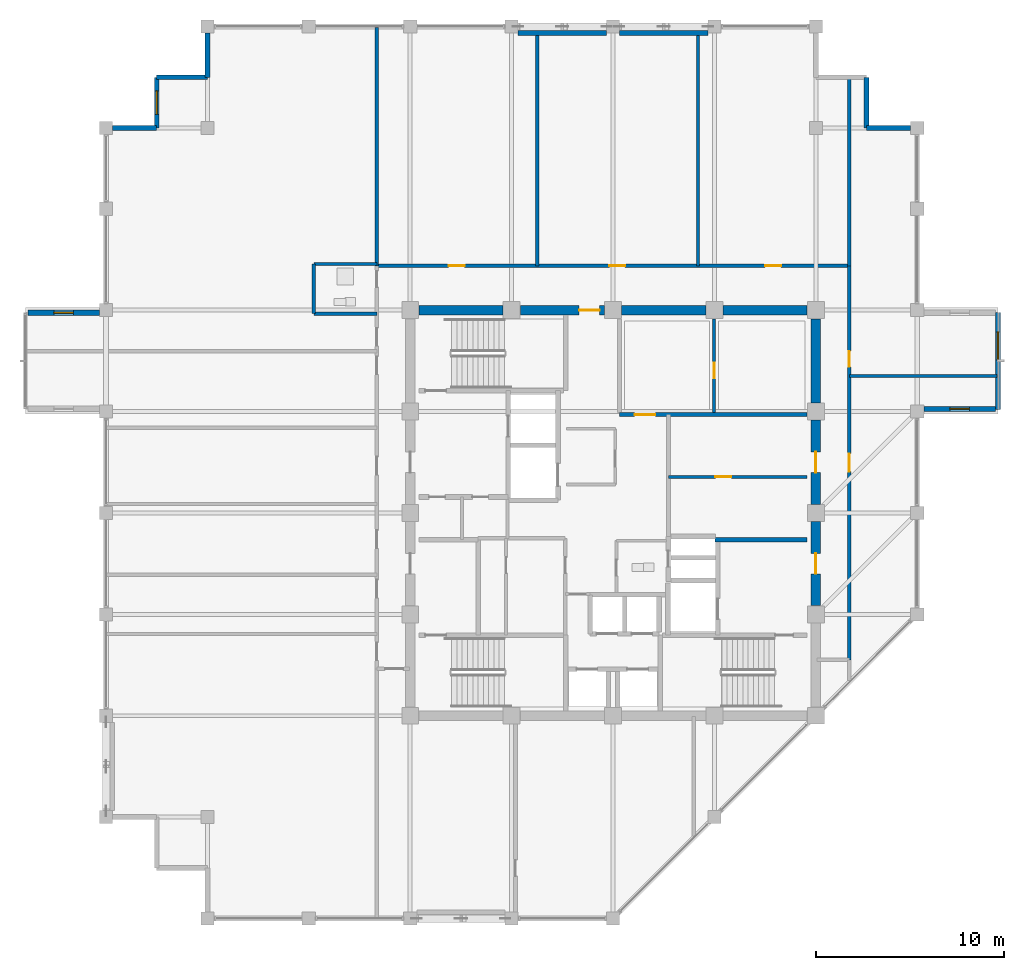
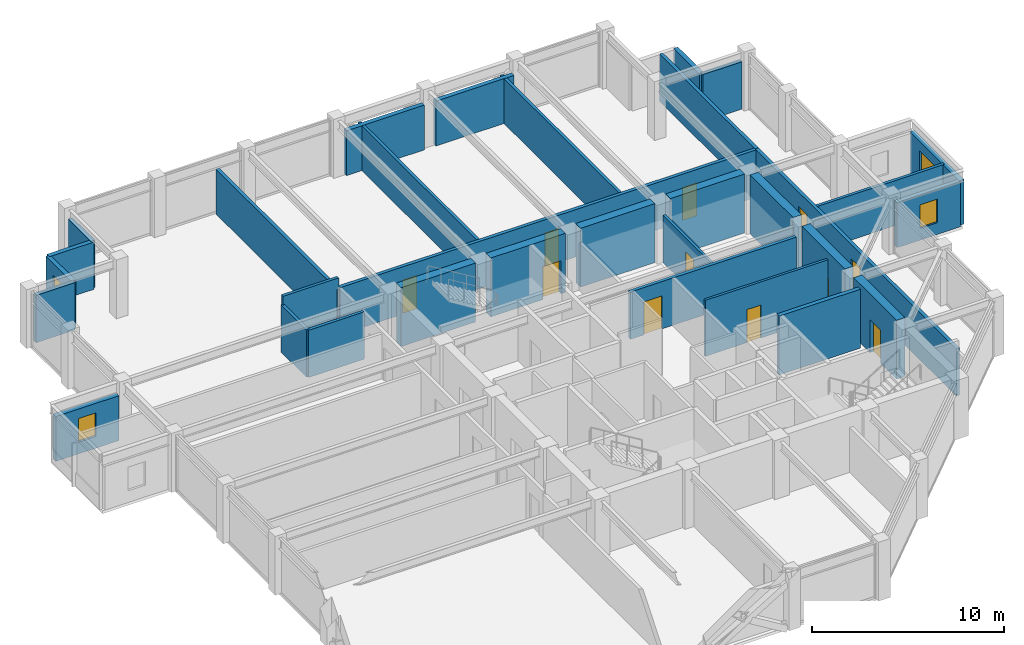
# One storey, part 27 of 31: 32 walls, 11 doors, 4 windows, 15 openings.
"""IFC4 building model written with IfcOpenShell, lengths in metres."""

import ifcopenshell
import ifcopenshell.guid

model = None  # the IFC model being written
_history = None  # IfcOwnerHistory: only IFC2X3 demands one
_inside = {}  # id of a spatial element -> (the spatial element, [elements in it])
_under = {}  # id of a project, library or spatial element -> (it, [spatial elements below it])
_declared = {}  # id of a project -> (the project, [libraries it declares])
_typed = {}  # id of a type object -> (the type object, [elements of that type])
_made_of = {}  # id of a material, layer set ... -> (it, [elements and type objects made of it])


def new_model(schema):
    """Start an empty IFC model of exactly this schema.

    Asked for "IFC4X3", IfcOpenShell would pick the latest addendum, in which some entities
    have other attributes; the version numbers below select the first issue.
    IFC2X3 requires an IfcOwnerHistory on every rooted entity: one is made here for all.
    """
    global model, _history
    if schema == "IFC4X3":
        model = ifcopenshell.file(schema_version=(4, 3, 0, 0))
    else:
        model = ifcopenshell.file(schema=schema)
    _inside.clear()
    _under.clear()
    _declared.clear()
    _typed.clear()
    _made_of.clear()
    _history = None
    if model.schema == "IFC2X3":
        org = make("IfcOrganization", Name="unknown")
        user = make(
            "IfcPersonAndOrganization",
            ThePerson=make("IfcPerson", FamilyName="unknown"),
            TheOrganization=org,
        )
        app = make(
            "IfcApplication",
            ApplicationDeveloper=org,
            Version="unknown",
            ApplicationFullName="unknown",
            ApplicationIdentifier="unknown",
        )
        _history = make(
            "IfcOwnerHistory",
            OwningUser=user,
            OwningApplication=app,
            ChangeAction="ADDED",
            CreationDate=0,
        )
    return model


def make(cls, **values):
    """One entity of the class cls with the attributes given. An attribute that is None is left unset."""
    return model.create_entity(
        cls, **{name: value for name, value in values.items() if value is not None}
    )


def rooted(cls, **values):
    """An entity with a GlobalId (a new one), such as an element, a storey or a relation."""
    return make(cls, GlobalId=ifcopenshell.guid.new(), OwnerHistory=_history, **values)


def si_unit(unit_type, name, prefix=None):
    """IfcSIUnit, for example si_unit("LENGTHUNIT", "METRE", prefix="MILLI")."""
    return make("IfcSIUnit", UnitType=unit_type, Prefix=prefix, Name=name)


def assignment(units):
    """IfcUnitAssignment: the units of a project."""
    return None if units is None else make("IfcUnitAssignment", Units=units)


def point(xyz):
    """IfcCartesianPoint."""
    return None if xyz is None else make("IfcCartesianPoint", Coordinates=xyz)


def direction(xyz):
    """IfcDirection."""
    return None if xyz is None else make("IfcDirection", DirectionRatios=xyz)


def frame(location, z_axis=None, x_axis=None):
    """IfcAxis2Placement3D, a coordinate frame: its origin and axes. An axis left out is left unset."""
    return make(
        "IfcAxis2Placement3D",
        Location=point(location),
        Axis=direction(z_axis),
        RefDirection=direction(x_axis),
    )


def frame_2d(location, x_axis=None):
    """IfcAxis2Placement2D, a coordinate frame in the plane: its origin and x axis."""
    return make(
        "IfcAxis2Placement2D", Location=point(location), RefDirection=direction(x_axis)
    )


def origin():
    """The frame at (0, 0, 0) with its axes left unset."""
    return frame((0.0, 0.0, 0.0))


def place(relative_to, where):
    """IfcLocalPlacement: puts the frame where relative to a parent placement (None: the world)."""
    return make(
        "IfcLocalPlacement", PlacementRelTo=relative_to, RelativePlacement=where
    )


def context(
    kind, dimensions, precision=None, world=None, true_north=None, identifier=None
):
    """IfcGeometricRepresentationContext, for example the 3D "Model" context."""
    return make(
        "IfcGeometricRepresentationContext",
        ContextIdentifier=identifier,
        ContextType=kind,
        CoordinateSpaceDimension=dimensions,
        Precision=precision,
        WorldCoordinateSystem=world,
        TrueNorth=true_north,
    )


def subcontext(parent, identifier, kind, view, scale=None):
    """IfcGeometricRepresentationSubContext, for example "Body" below "Model"."""
    return make(
        "IfcGeometricRepresentationSubContext",
        ContextIdentifier=identifier,
        ContextType=kind,
        ParentContext=parent,
        TargetScale=scale,
        TargetView=view,
    )


def project(units=None, contexts=None):
    """IfcProject with its units and contexts."""
    return rooted(
        "IfcProject",
        Name="project",
        RepresentationContexts=contexts,
        UnitsInContext=assignment(units),
    )


def spatial(cls, under=None, at=None, **own):
    """A site, building, storey or space (cls), placed at a placement, below another one or the project."""
    s = rooted(cls, ObjectPlacement=at, **own)
    if under is not None:
        _under.setdefault(under.id(), (under, []))[1].append(s)
    return s


def profile(cls, at=None, kind="AREA", **sizes):
    """A parametric profile (cls). Its sizes go by their IFC names, for example OverallWidth=200.0."""
    return make(cls, ProfileType=kind, Position=at, **sizes)


def rectangle(**sizes):
    """IfcRectangleProfileDef."""
    return profile("IfcRectangleProfileDef", **sizes)


def extrude(swept, where, along, depth):
    """IfcExtrudedAreaSolid: the profile swept, set in the frame where, extruded along a direction by depth."""
    return make(
        "IfcExtrudedAreaSolid",
        SweptArea=swept,
        Position=where,
        ExtrudedDirection=direction(along),
        Depth=depth,
    )


def shape(context_of_items, identifier, shape_type, items):
    """IfcShapeRepresentation: the items that make up one representation, for example the "Body"."""
    return make(
        "IfcShapeRepresentation",
        ContextOfItems=context_of_items,
        RepresentationIdentifier=identifier,
        RepresentationType=shape_type,
        Items=items,
    )


def material(Name=None, Category=None):
    """IfcMaterial."""
    return make("IfcMaterial", Name=Name, Category=Category)


def layer(
    of_material, thickness, ventilated=None, Name=None, Category=None, Priority=None
):
    """IfcMaterialLayer: one layer of a wall or slab, of a material (None: an air gap)."""
    return make(
        "IfcMaterialLayer",
        Material=of_material,
        LayerThickness=thickness,
        IsVentilated=ventilated,
        Name=Name,
        Category=Category,
        Priority=Priority,
    )


def layer_set(layers, Name=None):
    """IfcMaterialLayerSet."""
    return make("IfcMaterialLayerSet", MaterialLayers=layers, LayerSetName=Name)


def made_of(thing, what):
    """Note that an element or type object is made of a material, layer set ...; save() writes the relation."""
    if what is not None:
        _made_of.setdefault(what.id(), (what, []))[1].append(thing)
    return thing


def type_object(cls, material=None, **own):
    """A type object (cls), such as IfcWallType, which elements share."""
    return made_of(rooted(cls, **own), material)


def element(
    cls,
    number,
    at=None,
    inside=None,
    cuts=None,
    type_object=None,
    material=None,
    context=None,
    identifier="Body",
    shape_type=None,
    held_by="IfcProductDefinitionShape",
    body=None,
    shapes=None,
    **own,
):
    """One element of the class cls, such as IfcWall. Its Tag is "e" and its number.

    at: its placement. inside: the storey or other place that contains it. cuts: it is an
    opening in that element (IfcRelVoidsElement). A single representation is given by context,
    identifier, shape_type and body (its items); several are given by shapes. held_by: the class
    of the entity that holds the representations. save() writes the other relations.
    """
    e = rooted(cls, Tag="e%d" % number, ObjectPlacement=at, **own)
    if body is not None:
        shapes = [shape(context, identifier, shape_type, body)]
    if shapes is not None:
        e.Representation = make(held_by, Representations=shapes)
    if inside is not None:
        _inside.setdefault(inside.id(), (inside, []))[1].append(e)
    if cuts is not None:
        rooted(
            "IfcRelVoidsElement", RelatingBuildingElement=cuts, RelatedOpeningElement=e
        )
    if type_object is not None:
        _typed.setdefault(type_object.id(), (type_object, []))[1].append(e)
    return made_of(e, material)


def fill(opening, filler):
    """IfcRelFillsElement: the door or window that sits in an opening."""
    return rooted(
        "IfcRelFillsElement",
        RelatingOpeningElement=opening,
        RelatedBuildingElement=filler,
    )


def aggregate(whole, parts):
    """IfcRelAggregates: a whole, such as a stair, and the parts it consists of."""
    return rooted("IfcRelAggregates", RelatingObject=whole, RelatedObjects=parts)


def save(model, path):
    """Write the relations noted so far, then the file.

    IfcRelAggregates (storeys below a building ...), IfcRelContainedInSpatialStructure (elements
    in a storey), IfcRelDefinesByType, IfcRelAssociatesMaterial and IfcRelDeclares: one each for
    every whole, place, type object, material and project.
    """
    for whole, parts in _under.values():
        aggregate(whole, parts)
    for where, things in _inside.values():
        rooted(
            "IfcRelContainedInSpatialStructure",
            RelatedElements=things,
            RelatingStructure=where,
        )
    for kind, things in _typed.values():
        rooted("IfcRelDefinesByType", RelatedObjects=things, RelatingType=kind)
    for what, things in _made_of.values():
        rooted("IfcRelAssociatesMaterial", RelatedObjects=things, RelatingMaterial=what)
    for by, libraries in _declared.values():
        rooted("IfcRelDeclares", RelatingContext=by, RelatedDefinitions=libraries)
    model.write(path)


model = new_model("IFC4")

# Units and contexts
model_context = context("Model", 3, precision=1e-05, world=origin(), true_north=direction((0.0, 1.0)))
body_context = subcontext(model_context, "Body", "Model", "MODEL_VIEW")
ifc_project = project(units=[si_unit("LENGTHUNIT", "METRE"), si_unit("AREAUNIT", "SQUARE_METRE"), si_unit("VOLUMEUNIT", "CUBIC_METRE"), si_unit("PLANEANGLEUNIT", "RADIAN"), si_unit("MASSUNIT", "GRAM", prefix="KILO")], contexts=[model_context])

# Site, building, storey
site_placement = place(None, origin())
site = spatial("IfcSite", under=ifc_project, at=site_placement, CompositionType="ELEMENT")
building_placement = place(site_placement, origin())
building = spatial("IfcBuilding", under=site, at=building_placement, Name="Surkhivell Harbour Commons", CompositionType="ELEMENT")
storey_placement = place(building_placement, frame((0.0, 0.0, 266.25)))
storey = spatial("IfcBuildingStorey", under=building, at=storey_placement, Name="L69", CompositionType="ELEMENT", Elevation=266.25)

# Wall
ifc_material_1 = material(Name="Concrete C50/60", Category="concrete")
ifc_layer_1 = layer(ifc_material_1, 0.5)
ifc_layer_set_1 = layer_set([ifc_layer_1], Name="Concrete C50/60")
wall_type_1 = type_object("IfcWallType", Name="WAL-CORE-500", PredefinedType="SHEAR", material=ifc_layer_set_1)
wall_1_placement = place(storey_placement, frame((-10.340087890625, 10.800048828125, 0.0), z_axis=(0.0, 0.0, 1.0), x_axis=(1.0, 0.0, 0.0)))
element("IfcWall", 1, at=wall_1_placement, inside=storey, type_object=wall_type_1, Name="L69 Core Shear Wall North 1", PredefinedType="SHEAR", context=body_context, shape_type="SweptSolid", body=[
    extrude(rectangle(XDim=4.47998046875, YDim=0.5, at=frame_2d((2.239990234375, 0.0))), origin(), (0.0, 0.0, 1.0), 3.75),
])

# Wall, opening, door
wall_2_placement = place(storey_placement, frame((-4.93994140625, 10.800048828125, 0.0), z_axis=(0.0, 0.0, 1.0), x_axis=(1.0, 0.0, 0.0)))
wall_2 = element("IfcWall", 2, at=wall_2_placement, inside=storey, type_object=wall_type_1, Name="L69 Core Shear Wall North 2", PredefinedType="SHEAR", context=body_context, shape_type="SweptSolid", body=[
    extrude(rectangle(XDim=4.47998046875, YDim=0.5, at=frame_2d((2.239990234375, 0.0))), origin(), (0.0, 0.0, 1.0), 3.75),
])
opening_1_placement = place(wall_2_placement, frame((3.1298828125, 0.0, 0.0)))
opening_1 = element("IfcOpeningElement", 3, at=opening_1_placement, cuts=wall_2, Name="Opening ID-2", PredefinedType="OPENING", context=body_context, shape_type="SweptSolid", body=[
    extrude(rectangle(XDim=1.10009765625, YDim=2.10009765625, at=frame_2d((0.550048828125, 1.050048828125))), frame((0.0, 0.260009765625, 0.0), z_axis=(0.0, -1.0, 0.0), x_axis=(1.0, 0.0, 0.0)), (0.0, 0.0, 1.0), 0.52001953125),
])
ifc_material_2 = material(Name="Hardwood-veneered fire-rated door leaf", Category="wood")
door_type_1 = type_object("IfcDoorType", Name="DOR-FD60-1100", OperationType="NOTDEFINED", PredefinedType="DOOR", material=ifc_material_2)
door_1_placement = place(opening_1_placement, origin())
door_1 = element("IfcDoor", 4, at=door_1_placement, inside=storey, type_object=door_type_1, Name="L69 Central Core Lift Hall North Corridor Door", OperationType="SINGLE_SWING_LEFT", OverallHeight=2.10009765625, OverallWidth=1.10009765625, PredefinedType="DOOR", context=body_context, shape_type="SweptSolid", body=[
    extrude(rectangle(XDim=1.10009765625, YDim=2.10009765625, at=frame_2d((0.550048828125, 1.050048828125))), frame((0.0, 0.02490234375, 0.0), z_axis=(0.0, -1.0, 0.0), x_axis=(1.0, 0.0, 0.0)), (0.0, 0.0, 1.0), 0.050048828125),
])
fill(opening_1, door_1)

wall_3_placement = place(storey_placement, frame((10.800048828125, -4.93994140625, 0.0), z_axis=(0.0, 0.0, 1.0), x_axis=(0.0, 1.0, 0.0)))
wall_3 = element("IfcWall", 5, at=wall_3_placement, inside=storey, type_object=wall_type_1, Name="L69 Core Shear Wall East 2", PredefinedType="SHEAR", context=body_context, shape_type="SweptSolid", body=[
    extrude(rectangle(XDim=4.47998046875, YDim=0.5, at=frame_2d((2.239990234375, 0.0))), origin(), (0.0, 0.0, 1.0), 3.75),
])
opening_2_placement = place(wall_3_placement, frame((1.68994140625, 0.0, 0.0)))
opening_2 = element("IfcOpeningElement", 6, at=opening_2_placement, cuts=wall_3, Name="Opening ID-1", PredefinedType="OPENING", context=body_context, shape_type="SweptSolid", body=[
    extrude(rectangle(XDim=1.10009765625, YDim=2.10009765625, at=frame_2d((0.550048828125, 1.050048828125))), frame((0.0, 0.260009765625, 0.0), z_axis=(0.0, -1.0, 0.0), x_axis=(1.0, 0.0, 0.0)), (0.0, 0.0, 1.0), 0.52001953125),
])
door_type_2 = type_object("IfcDoorType", Name="DOR-FD120-1100", OperationType="NOTDEFINED", PredefinedType="DOOR", material=ifc_material_2)
door_2_placement = place(opening_2_placement, origin())
door_2 = element("IfcDoor", 7, at=door_2_placement, inside=storey, type_object=door_type_2, Name="L69 Firefighting Lobby 2 Corridor Door", OperationType="SINGLE_SWING_RIGHT", OverallHeight=2.10009765625, OverallWidth=1.10009765625, PredefinedType="DOOR", context=body_context, shape_type="SweptSolid", body=[
    extrude(rectangle(XDim=1.10009765625, YDim=2.10009765625, at=frame_2d((0.550048828125, 1.050048828125))), frame((0.0, 0.02490234375, 0.0), z_axis=(0.0, -1.0, 0.0), x_axis=(1.0, 0.0, 0.0)), (0.0, 0.0, 1.0), 0.050048828125),
])
fill(opening_2, door_2)

# Wall
wall_4_placement = place(storey_placement, frame((0.4599609375, 10.800048828125, 0.0), z_axis=(0.0, 0.0, 1.0), x_axis=(1.0, 0.0, 0.0)))
element("IfcWall", 8, at=wall_4_placement, inside=storey, type_object=wall_type_1, Name="L69 Core Shear Wall North 3", PredefinedType="SHEAR", context=body_context, shape_type="SweptSolid", body=[
    extrude(rectangle(XDim=4.47998046875, YDim=0.5, at=frame_2d((2.239990234375, 0.0))), origin(), (0.0, 0.0, 1.0), 3.75),
])

# Wall, opening, door
wall_5_placement = place(storey_placement, frame((10.800048828125, 0.4599609375, 0.0), z_axis=(0.0, 0.0, 1.0), x_axis=(0.0, 1.0, 0.0)))
wall_5 = element("IfcWall", 9, at=wall_5_placement, inside=storey, type_object=wall_type_1, Name="L69 Core Shear Wall East 3", PredefinedType="SHEAR", context=body_context, shape_type="SweptSolid", body=[
    extrude(rectangle(XDim=4.47998046875, YDim=0.5, at=frame_2d((2.239990234375, 0.0))), origin(), (0.0, 0.0, 1.0), 3.75),
])
opening_3_placement = place(wall_5_placement, frame((1.68994140625, 0.0, 0.0)))
opening_3 = element("IfcOpeningElement", 10, at=opening_3_placement, cuts=wall_5, Name="Opening ID-2", PredefinedType="OPENING", context=body_context, shape_type="SweptSolid", body=[
    extrude(rectangle(XDim=1.10009765625, YDim=2.10009765625, at=frame_2d((0.550048828125, 1.050048828125))), frame((0.0, 0.260009765625, 0.0), z_axis=(0.0, -1.0, 0.0), x_axis=(1.0, 0.0, 0.0)), (0.0, 0.0, 1.0), 0.52001953125),
])
door_3_placement = place(opening_3_placement, origin())
door_3 = element("IfcDoor", 11, at=door_3_placement, inside=storey, type_object=door_type_1, Name="L69 Media Lounge East Door", OperationType="SINGLE_SWING_RIGHT", OverallHeight=2.10009765625, OverallWidth=1.10009765625, PredefinedType="DOOR", context=body_context, shape_type="SweptSolid", body=[
    extrude(rectangle(XDim=1.10009765625, YDim=2.10009765625, at=frame_2d((0.550048828125, 1.050048828125))), frame((0.0, 0.02490234375, 0.0), z_axis=(0.0, -1.0, 0.0), x_axis=(1.0, 0.0, 0.0)), (0.0, 0.0, 1.0), 0.050048828125),
])
fill(opening_3, door_3)

# Walls
for number, where, z_axis, x_axis, name in (
    (12, (5.860107421875, 10.800048828125, 0.0), (0.0, 0.0, 1.0), (1.0, 0.0, 0.0), "L69 Core Shear Wall North 4"),
    (13, (10.800048828125, 5.860107421875, 0.0), (0.0, 0.0, 1.0), (0.0, 1.0, 0.0), "L69 Core Shear Wall East 4"),
):
    element("IfcWall", number, at=place(storey_placement, frame(where, z_axis=z_axis, x_axis=x_axis)), inside=storey, type_object=wall_type_1, Name=name, PredefinedType="SHEAR", context=body_context, shape_type="SweptSolid", body=[
        extrude(rectangle(XDim=4.47998046875, YDim=0.5, at=frame_2d((2.239990234375, 0.0))), origin(), (0.0, 0.0, 1.0), 3.75),
    ])

# Wall, opening, window
ifc_material_3 = material(Name="Flemish-bond kiln brick and precast concrete C45/55", Category="masonry")
ifc_layer_2 = layer(ifc_material_3, 0.300048828125)
ifc_layer_set_2 = layer_set([ifc_layer_2], Name="Flemish-bond kiln brick and precast concrete C45/55")
wall_type_2 = type_object("IfcWallType", Name="WAL-EXT-BRK300", PredefinedType="STANDARD", material=ifc_layer_set_2)
wall_6_placement = place(storey_placement, frame((-31.159912109375, 10.659912109375, 0.0), z_axis=(0.0, 0.0, 1.0), x_axis=(1.0, 0.0, 0.0)))
wall_6 = element("IfcWall", 14, at=wall_6_placement, inside=storey, type_object=wall_type_2, Name="L69 Coloured Box Return Wall 02N", PredefinedType="STANDARD", context=body_context, shape_type="SweptSolid", body=[
    extrude(rectangle(XDim=3.805908203125, YDim=0.300048828125, at=frame_2d((1.90283203125, 0.0))), origin(), (0.0, 0.0, 1.0), 2.85693359375),
])
opening_4_placement = place(wall_6_placement, frame((1.3779296875, 0.0, 0.75)))
opening_4 = element("IfcOpeningElement", 15, at=opening_4_placement, cuts=wall_6, Name="Opening WN-11", PredefinedType="OPENING", context=body_context, shape_type="SweptSolid", body=[
    extrude(rectangle(XDim=1.050048828125, YDim=1.5, at=frame_2d((0.52490234375, 0.75))), frame((0.0, 0.159912109375, 0.0), z_axis=(0.0, -1.0, 0.0), x_axis=(1.0, 0.0, 0.0)), (0.0, 0.0, 1.0), 0.320068359375),
])
ifc_material_4 = material(Name="Thermal-break aluminium frame and double low-E glazing", Category="aluminium")
window_type_1 = type_object("IfcWindowType", Name="WIN-SER-1050x1500", PartitioningType="SINGLE_PANEL", PredefinedType="WINDOW", material=ifc_material_4)
window_1_placement = place(opening_4_placement, origin())
window_1 = element("IfcWindow", 16, at=window_1_placement, inside=storey, type_object=window_type_1, Name="L69 Coloured Box Return Window 02N", OverallHeight=1.5, OverallWidth=1.050048828125, PartitioningType="SINGLE_PANEL", PredefinedType="WINDOW", context=body_context, shape_type="SweptSolid", body=[
    extrude(rectangle(XDim=1.050048828125, YDim=1.5, at=frame_2d((0.52490234375, 0.75))), frame((0.0, 0.030029296875, 0.0), z_axis=(0.0, -1.0, 0.0), x_axis=(1.0, 0.0, 0.0)), (0.0, 0.0, 1.0), 0.06005859375),
])
fill(opening_4, window_1)

# Walls
ifc_material_5 = material(Name="Pale-metal insulated precast concrete C45/55", Category="concrete")
ifc_layer_3 = layer(ifc_material_5, 0.260009765625)
ifc_layer_set_3 = layer_set([ifc_layer_3], Name="Pale-metal insulated precast concrete C45/55")
wall_type_3 = type_object("IfcWallType", Name="WAL-EXT-MTL260", PredefinedType="STANDARD", material=ifc_layer_set_3)
wall_7_placement = place(storey_placement, frame((15.85205078125, 20.5, 0.0), z_axis=(0.0, 0.0, 1.0), x_axis=(-1.0, 0.0, 0.0)))
element("IfcWall", 17, at=wall_7_placement, inside=storey, type_object=wall_type_3, Name="L69 Serrated Corner Facade Wall 03", PredefinedType="STANDARD", context=body_context, shape_type="SweptSolid", body=[
    extrude(rectangle(XDim=2.35205078125, YDim=0.260009765625, at=frame_2d((1.176025390625, 0.0))), origin(), (0.0, 0.0, 1.0), 3.012939453125),
])
wall_8_placement = place(storey_placement, frame((13.5, 20.5, 0.0), z_axis=(0.0, 0.0, 1.0), x_axis=(0.0, 1.0, 0.0)))
element("IfcWall", 18, at=wall_8_placement, inside=storey, type_object=wall_type_3, Name="L69 Serrated Corner Facade Wall 04", PredefinedType="STANDARD", context=body_context, shape_type="SweptSolid", body=[
    extrude(rectangle(XDim=2.699951171875, YDim=0.260009765625, at=frame_2d((1.35009765625, 0.0))), origin(), (0.0, 0.0, 1.0), 3.012939453125),
])
for number, where, z_axis, x_axis, name in (
    (19, (-0.347900390625, 25.56494140625, 0.0), (0.0, 0.0, 1.0), (-1.0, 0.0, 0.0), "L69 Braced-Bay Insulated Spandrel Backing N"),
    (20, (5.052001953125, 25.56494140625, 0.0), (0.0, 0.0, 1.0), (-1.0, 0.0, 0.0), "L69 Braced-Bay Insulated Spandrel Backing N2"),
):
    element("IfcWall", number, at=place(storey_placement, frame(where, z_axis=z_axis, x_axis=x_axis)), inside=storey, type_object=wall_type_3, Name=name, PredefinedType="STANDARD", context=body_context, shape_type="SweptSolid", body=[
        extrude(rectangle(XDim=4.7041015625, YDim=0.260009765625, at=frame_2d((2.35205078125, 0.0))), origin(), (0.0, 0.0, 1.0), 2.85693359375),
    ])
wall_9_placement = place(storey_placement, frame((-21.60009765625, 25.552001953125, 0.0), z_axis=(0.0, 0.0, 1.0), x_axis=(0.0, -1.0, 0.0)))
element("IfcWall", 21, at=wall_9_placement, inside=storey, type_object=wall_type_3, Name="L69 Serrated Corner Facade Wall 08", PredefinedType="STANDARD", context=body_context, shape_type="SweptSolid", body=[
    extrude(rectangle(XDim=2.35205078125, YDim=0.260009765625, at=frame_2d((1.176025390625, 0.0))), origin(), (0.0, 0.0, 1.0), 3.012939453125),
])
wall_10_placement = place(storey_placement, frame((-21.60009765625, 23.199951171875, 0.0), z_axis=(0.0, 0.0, 1.0), x_axis=(-1.0, 0.0, 0.0)))
element("IfcWall", 22, at=wall_10_placement, inside=storey, type_object=wall_type_3, Name="L69 Serrated Corner Facade Wall 09", PredefinedType="STANDARD", context=body_context, shape_type="SweptSolid", body=[
    extrude(rectangle(XDim=2.699951171875, YDim=0.260009765625, at=frame_2d((1.35009765625, 0.0))), origin(), (0.0, 0.0, 1.0), 3.012939453125),
])

# Wall, opening, window
wall_11_placement = place(storey_placement, frame((-24.300048828125, 23.199951171875, 0.0), z_axis=(0.0, 0.0, 1.0), x_axis=(0.0, -1.0, 0.0)))
wall_11 = element("IfcWall", 23, at=wall_11_placement, inside=storey, type_object=wall_type_3, Name="L69 Serrated Corner Facade Wall 10", PredefinedType="STANDARD", context=body_context, shape_type="SweptSolid", body=[
    extrude(rectangle(XDim=2.699951171875, YDim=0.260009765625, at=frame_2d((1.35009765625, 0.0))), origin(), (0.0, 0.0, 1.0), 3.012939453125),
])
opening_5_placement = place(wall_11_placement, frame((0.72509765625, 0.0, 0.64990234375)))
opening_5 = element("IfcOpeningElement", 24, at=opening_5_placement, cuts=wall_11, Name="Opening WN-09", PredefinedType="OPENING", context=body_context, shape_type="SweptSolid", body=[
    extrude(rectangle(XDim=1.25, YDim=1.60009765625, at=frame_2d((0.625, 0.800048828125))), frame((0.0, 0.139892578125, 0.0), z_axis=(0.0, -1.0, 0.0), x_axis=(1.0, 0.0, 0.0)), (0.0, 0.0, 1.0), 0.280029296875),
])
window_type_2 = type_object("IfcWindowType", Name="WIN-SER-1250x1600", PartitioningType="SINGLE_PANEL", PredefinedType="WINDOW", material=ifc_material_4)
window_2_placement = place(opening_5_placement, origin())
window_2 = element("IfcWindow", 25, at=window_2_placement, inside=storey, type_object=window_type_2, Name="L69 Serrated Alcove Window 10", OverallHeight=1.60009765625, OverallWidth=1.25, PartitioningType="SINGLE_PANEL", PredefinedType="WINDOW", context=body_context, shape_type="SweptSolid", body=[
    extrude(rectangle(XDim=1.25, YDim=1.60009765625, at=frame_2d((0.625, 0.800048828125))), frame((0.0, 0.030029296875, 0.0), z_axis=(0.0, -1.0, 0.0), x_axis=(1.0, 0.0, 0.0)), (0.0, 0.0, 1.0), 0.06005859375),
])
fill(opening_5, window_2)

# Wall
wall_12_placement = place(storey_placement, frame((-24.300048828125, 20.5, 0.0), z_axis=(0.0, 0.0, 1.0), x_axis=(-1.0, 0.0, 0.0)))
element("IfcWall", 26, at=wall_12_placement, inside=storey, type_object=wall_type_3, Name="L69 Serrated Corner Facade Wall 11", PredefinedType="STANDARD", context=body_context, shape_type="SweptSolid", body=[
    extrude(rectangle(XDim=2.35205078125, YDim=0.260009765625, at=frame_2d((1.176025390625, 0.0))), origin(), (0.0, 0.0, 1.0), 3.012939453125),
])

# Wall, opening, window
ifc_material_6 = material(Name="Terracotta-clad reinforced concrete C45/55", Category="masonry")
ifc_layer_4 = layer(ifc_material_6, 0.280029296875)
ifc_layer_set_4 = layer_set([ifc_layer_4], Name="Terracotta-clad reinforced concrete C45/55")
wall_type_4 = type_object("IfcWallType", Name="WAL-EXT-TER280", PredefinedType="STANDARD", material=ifc_layer_set_4)
wall_13_placement = place(storey_placement, frame((20.5, 5.52001953125, 0.0), z_axis=(0.0, 0.0, 1.0), x_axis=(0.0, 1.0, 0.0)))
wall_13 = element("IfcWall", 27, at=wall_13_placement, inside=storey, type_object=wall_type_4, Name="L69 Coloured Box Front Wall 01", PredefinedType="STANDARD", context=body_context, shape_type="SweptSolid", body=[
    extrude(rectangle(XDim=5.159912109375, YDim=0.280029296875, at=frame_2d((2.580078125, 0.0))), origin(), (0.0, 0.0, 1.0), 2.85693359375),
])
opening_6_placement = place(wall_13_placement, frame((2.625, 0.0, 0.75)))
opening_6 = element("IfcOpeningElement", 28, at=opening_6_placement, cuts=wall_13, Name="Opening WN-13", PredefinedType="OPENING", context=body_context, shape_type="SweptSolid", body=[
    extrude(rectangle(XDim=1.5, YDim=1.5, at=frame_2d((0.75, 0.75))), frame((0.0, 0.14990234375, 0.0), z_axis=(0.0, -1.0, 0.0), x_axis=(1.0, 0.0, 0.0)), (0.0, 0.0, 1.0), 0.300048828125),
])
window_type_3 = type_object("IfcWindowType", Name="WIN-BOX-1500x1500", PartitioningType="SINGLE_PANEL", PredefinedType="WINDOW", material=ifc_material_4)
window_3_placement = place(opening_6_placement, origin())
window_3 = element("IfcWindow", 29, at=window_3_placement, inside=storey, type_object=window_type_3, Name="L69 Coloured Box Square Window 01-1", OverallHeight=1.5, OverallWidth=1.5, PartitioningType="SINGLE_PANEL", PredefinedType="WINDOW", context=body_context, shape_type="SweptSolid", body=[
    extrude(rectangle(XDim=1.5, YDim=1.5, at=frame_2d((0.75, 0.75))), frame((0.0, 0.030029296875, 0.0), z_axis=(0.0, -1.0, 0.0), x_axis=(1.0, 0.0, 0.0)), (0.0, 0.0, 1.0), 0.06005859375),
])
fill(opening_6, window_3)

wall_14_placement = place(storey_placement, frame((16.553955078125, 5.5400390625, 0.0), z_axis=(0.0, 0.0, 1.0), x_axis=(1.0, 0.0, 0.0)))
wall_14 = element("IfcWall", 30, at=wall_14_placement, inside=storey, type_object=wall_type_4, Name="L69 Coloured Box Return Wall 01S", PredefinedType="STANDARD", context=body_context, shape_type="SweptSolid", body=[
    extrude(rectangle(XDim=3.80615234375, YDim=0.280029296875, at=frame_2d((1.903076171875, 0.0))), origin(), (0.0, 0.0, 1.0), 2.85693359375),
])
opening_7_placement = place(wall_14_placement, frame((1.3779296875, 0.0, 0.75)))
opening_7 = element("IfcOpeningElement", 31, at=opening_7_placement, cuts=wall_14, Name="Opening WN-11", PredefinedType="OPENING", context=body_context, shape_type="SweptSolid", body=[
    extrude(rectangle(XDim=1.050048828125, YDim=1.5, at=frame_2d((0.52490234375, 0.75))), frame((0.0, 0.14990234375, 0.0), z_axis=(0.0, -1.0, 0.0), x_axis=(1.0, 0.0, 0.0)), (0.0, 0.0, 1.0), 0.300048828125),
])
window_4_placement = place(opening_7_placement, origin())
window_4 = element("IfcWindow", 32, at=window_4_placement, inside=storey, type_object=window_type_1, Name="L69 Coloured Box Return Window 01S", OverallHeight=1.5, OverallWidth=1.050048828125, PartitioningType="SINGLE_PANEL", PredefinedType="WINDOW", context=body_context, shape_type="SweptSolid", body=[
    extrude(rectangle(XDim=1.050048828125, YDim=1.5, at=frame_2d((0.52490234375, 0.75))), frame((0.0, 0.030029296875, 0.0), z_axis=(0.0, -1.0, 0.0), x_axis=(1.0, 0.0, 0.0)), (0.0, 0.0, 1.0), 0.06005859375),
])
fill(opening_7, window_4)

# Wall, opening, door
ifc_material_7 = material(Name="Twin-stud acoustic fireboard partition", Category="other")
ifc_layer_5 = layer(ifc_material_7, 0.14990234375)
ifc_layer_set_5 = layer_set([ifc_layer_5], Name="Twin-stud acoustic fireboard partition")
wall_type_5 = type_object("IfcWallType", Name="WAL-INT-150", PredefinedType="PARTITIONING", material=ifc_layer_set_5)
wall_15_placement = place(storey_placement, frame((5.3798828125, 5.360107421875, 0.0), z_axis=(0.0, 0.0, 1.0), x_axis=(0.0, 1.0, 0.0)))
wall_15 = element("IfcWall", 33, at=wall_15_placement, inside=storey, type_object=wall_type_5, Name="L69 Core Library Divider", PredefinedType="PARTITIONING", context=body_context, shape_type="SweptSolid", body=[
    extrude(rectangle(XDim=4.97998046875, YDim=0.14990234375, at=frame_2d((2.489990234375, 0.0))), origin(), (0.0, 0.0, 1.0), 3.012939453125),
])
opening_8_placement = place(wall_15_placement, frame((1.800048828125, 0.0, 0.0)))
opening_8 = element("IfcOpeningElement", 34, at=opening_8_placement, cuts=wall_15, Name="Opening ID-6", PredefinedType="OPENING", context=body_context, shape_type="SweptSolid", body=[
    extrude(rectangle(XDim=0.85009765625, YDim=2.10009765625, at=frame_2d((0.425048828125, 1.050048828125))), frame((0.0, 0.0849609375, 0.0), z_axis=(0.0, -1.0, 0.0), x_axis=(1.0, 0.0, 0.0)), (0.0, 0.0, 1.0), 0.169921875),
])
door_type_3 = type_object("IfcDoorType", Name="DOR-FD30-850", OperationType="NOTDEFINED", PredefinedType="DOOR", material=ifc_material_2)
door_4_placement = place(opening_8_placement, origin())
door_4 = element("IfcDoor", 35, at=door_4_placement, inside=storey, type_object=door_type_3, Name="L69 Core Reading Door", OperationType="SINGLE_SWING_RIGHT", OverallHeight=2.10009765625, OverallWidth=0.85009765625, PredefinedType="DOOR", context=body_context, shape_type="SweptSolid", body=[
    extrude(rectangle(XDim=0.85009765625, YDim=2.10009765625, at=frame_2d((0.425048828125, 1.050048828125))), frame((0.0, 0.02490234375, 0.0), z_axis=(0.0, -1.0, 0.0), x_axis=(1.0, 0.0, 0.0)), (0.0, 0.0, 1.0), 0.050048828125),
])
fill(opening_8, door_4)

wall_16_placement = place(storey_placement, frame((2.949951171875, 1.919921875, 0.0), z_axis=(0.0, 0.0, 1.0), x_axis=(1.0, 0.0, 0.0)))
wall_16 = element("IfcWall", 36, at=wall_16_placement, inside=storey, type_object=wall_type_5, Name="L69 Media Divider", PredefinedType="PARTITIONING", context=body_context, shape_type="SweptSolid", body=[
    extrude(rectangle(XDim=7.39013671875, YDim=0.14990234375, at=frame_2d((3.695068359375, 0.0))), origin(), (0.0, 0.0, 1.0), 3.570068359375),
])
opening_9_placement = place(wall_16_placement, frame((2.5, 0.0, 0.0)))
opening_9 = element("IfcOpeningElement", 37, at=opening_9_placement, cuts=wall_16, Name="Opening ID-6", PredefinedType="OPENING", context=body_context, shape_type="SweptSolid", body=[
    extrude(rectangle(XDim=0.85009765625, YDim=2.10009765625, at=frame_2d((0.425048828125, 1.050048828125))), frame((0.0, 0.0849609375, 0.0), z_axis=(0.0, -1.0, 0.0), x_axis=(1.0, 0.0, 0.0)), (0.0, 0.0, 1.0), 0.169921875),
])
door_5_placement = place(opening_9_placement, origin())
door_5 = element("IfcDoor", 38, at=door_5_placement, inside=storey, type_object=door_type_3, Name="L69 Seminar Alcove Door", OperationType="SINGLE_SWING_RIGHT", OverallHeight=2.10009765625, OverallWidth=0.85009765625, PredefinedType="DOOR", context=body_context, shape_type="SweptSolid", body=[
    extrude(rectangle(XDim=0.85009765625, YDim=2.10009765625, at=frame_2d((0.425048828125, 1.050048828125))), frame((0.0, 0.02490234375, 0.0), z_axis=(0.0, -1.0, 0.0), x_axis=(1.0, 0.0, 0.0)), (0.0, 0.0, 1.0), 0.050048828125),
])
fill(opening_9, door_5)

# Walls
ifc_material_8 = material(Name="High-density acoustic blockwork fire partition", Category="masonry")
ifc_layer_6 = layer(ifc_material_8, 0.175048828125)
ifc_layer_set_6 = layer_set([ifc_layer_6], Name="High-density acoustic blockwork fire partition")
wall_type_6 = type_object("IfcWallType", Name="WAL-INT-175", PredefinedType="PARTITIONING", material=ifc_layer_set_6)
wall_17_placement = place(storey_placement, frame((12.580078125, 7.2900390625, 0.0), z_axis=(0.0, 0.0, 1.0), x_axis=(1.0, 0.0, 0.0)))
element("IfcWall", 39, at=wall_17_placement, inside=storey, type_object=wall_type_6, Name="L69 East Partition P1", PredefinedType="PARTITIONING", context=body_context, shape_type="SweptSolid", body=[
    extrude(rectangle(XDim=7.85986328125, YDim=0.175048828125, at=frame_2d((3.929931640625, 0.0))), origin(), (0.0, 0.0, 1.0), 2.85693359375),
])
for number, where, z_axis, x_axis, name in (
    (40, (-4.030029296875, 13.159912109375, 0.0), (0.0, 0.0, 1.0), (0.0, 1.0, 0.0), "L69 North Partition P1"),
    (41, (4.530029296875, 13.159912109375, 0.0), (0.0, 0.0, 1.0), (0.0, 1.0, 0.0), "L69 North Partition P2"),
):
    element("IfcWall", number, at=place(storey_placement, frame(where, z_axis=z_axis, x_axis=x_axis)), inside=storey, type_object=wall_type_6, Name=name, PredefinedType="PARTITIONING", context=body_context, shape_type="SweptSolid", body=[
        extrude(rectangle(XDim=12.68017578125, YDim=0.175048828125, at=frame_2d((6.340087890625, 0.0))), origin(), (0.0, 0.0, 1.0), 2.85693359375),
    ])
wall_18_placement = place(storey_placement, frame((-15.929931640625, 10.610107421875, 0.0), z_axis=(0.0, 0.0, 1.0), x_axis=(0.0, 1.0, 0.0)))
element("IfcWall", 42, at=wall_18_placement, inside=storey, type_object=wall_type_6, Name="L69 West Partition BTHB", PredefinedType="PARTITIONING", context=body_context, shape_type="SweptSolid", body=[
    extrude(rectangle(XDim=2.64990234375, YDim=0.175048828125, at=frame_2d((1.324951171875, 0.0))), origin(), (0.0, 0.0, 1.0), 3.012939453125),
])
wall_19_placement = place(storey_placement, frame((-15.929931640625, 13.260009765625, 0.0), z_axis=(0.0, 0.0, 1.0), x_axis=(1.0, 0.0, 0.0)))
element("IfcWall", 43, at=wall_19_placement, inside=storey, type_object=wall_type_6, Name="L69 West Partition BTHN", PredefinedType="PARTITIONING", context=body_context, shape_type="SweptSolid", body=[
    extrude(rectangle(XDim=3.349853515625, YDim=0.175048828125, at=frame_2d((1.6748046875, 0.0))), origin(), (0.0, 0.0, 1.0), 3.570068359375),
])
wall_20_placement = place(storey_placement, frame((-15.929931640625, 10.610107421875, 0.0), z_axis=(0.0, 0.0, 1.0), x_axis=(1.0, 0.0, 0.0)))
element("IfcWall", 44, at=wall_20_placement, inside=storey, type_object=wall_type_6, Name="L69 West Partition BTHS", PredefinedType="PARTITIONING", context=body_context, shape_type="SweptSolid", body=[
    extrude(rectangle(XDim=3.349853515625, YDim=0.175048828125, at=frame_2d((1.6748046875, 0.0))), origin(), (0.0, 0.0, 1.0), 3.012939453125),
])

# Wall, opening, door
ifc_material_9 = material(Name="Autoclaved aerated concrete blockwork and fire plaster", Category="masonry")
ifc_layer_7 = layer(ifc_material_9, 0.199951171875)
ifc_layer_set_7 = layer_set([ifc_layer_7], Name="Autoclaved aerated concrete blockwork and fire plaster")
wall_type_7 = type_object("IfcWallType", Name="WAL-INT-200", PredefinedType="PARTITIONING", material=ifc_layer_set_7)
wall_21_placement = place(storey_placement, frame((0.35009765625, 5.239990234375, 0.0), z_axis=(0.0, 0.0, 1.0), x_axis=(1.0, 0.0, 0.0)))
wall_21 = element("IfcWall", 45, at=wall_21_placement, inside=storey, type_object=wall_type_7, Name="L69 Reclaimed Core North Bay South Wall", PredefinedType="PARTITIONING", context=body_context, shape_type="SweptSolid", body=[
    extrude(rectangle(XDim=9.989990234375, YDim=0.199951171875, at=frame_2d((4.9951171875, 0.0))), origin(), (0.0, 0.0, 1.0), 3.012939453125),
])
opening_10_placement = place(wall_21_placement, frame((0.800048828125, 0.0, 0.0)))
opening_10 = element("IfcOpeningElement", 46, at=opening_10_placement, cuts=wall_21, Name="Opening ID-2", PredefinedType="OPENING", context=body_context, shape_type="SweptSolid", body=[
    extrude(rectangle(XDim=1.10009765625, YDim=2.10009765625, at=frame_2d((0.550048828125, 1.050048828125))), frame((0.0, 0.10986328125, 0.0), z_axis=(0.0, -1.0, 0.0), x_axis=(1.0, 0.0, 0.0)), (0.0, 0.0, 1.0), 0.219970703125),
])
door_6_placement = place(opening_10_placement, origin())
door_6 = element("IfcDoor", 47, at=door_6_placement, inside=storey, type_object=door_type_1, Name="L69 Core Study Door", OperationType="SINGLE_SWING_LEFT", OverallHeight=2.10009765625, OverallWidth=1.10009765625, PredefinedType="DOOR", context=body_context, shape_type="SweptSolid", body=[
    extrude(rectangle(XDim=1.10009765625, YDim=2.10009765625, at=frame_2d((0.550048828125, 1.050048828125))), frame((0.0, 0.02490234375, 0.0), z_axis=(0.0, -1.0, 0.0), x_axis=(1.0, 0.0, 0.0)), (0.0, 0.0, 1.0), 0.050048828125),
])
fill(opening_10, door_6)

# Walls
wall_22_placement = place(storey_placement, frame((12.580078125, 13.159912109375, 0.0), z_axis=(0.0, 0.0, 1.0), x_axis=(0.0, 1.0, 0.0)))
element("IfcWall", 48, at=wall_22_placement, inside=storey, type_object=wall_type_7, Name="L69 North-East Corner Wall", PredefinedType="PARTITIONING", context=body_context, shape_type="SweptSolid", body=[
    extrude(rectangle(XDim=9.97998046875, YDim=0.199951171875, at=frame_2d((4.989990234375, 0.0))), origin(), (0.0, 0.0, 1.0), 3.012939453125),
])
wall_23_placement = place(storey_placement, frame((-12.580078125, 13.159912109375, 0.0), z_axis=(0.0, 0.0, 1.0), x_axis=(0.0, 1.0, 0.0)))
element("IfcWall", 49, at=wall_23_placement, inside=storey, type_object=wall_type_7, Name="L69 North-West Corner Wall", PredefinedType="PARTITIONING", context=body_context, shape_type="SweptSolid", body=[
    extrude(rectangle(XDim=12.68017578125, YDim=0.199951171875, at=frame_2d((6.340087890625, 0.0))), origin(), (0.0, 0.0, 1.0), 2.85693359375),
])

# Wall, openings, doors
wall_24_placement = place(storey_placement, frame((12.580078125, -7.820068359375, 0.0), z_axis=(0.0, 0.0, 1.0), x_axis=(0.0, 1.0, 0.0)))
wall_24 = element("IfcWall", 50, at=wall_24_placement, inside=storey, type_object=wall_type_7, Name="L69 East Corridor Wall", PredefinedType="PARTITIONING", context=body_context, shape_type="SweptSolid", body=[
    extrude(rectangle(XDim=20.97998046875, YDim=0.199951171875, at=frame_2d((10.489990234375, 0.0))), origin(), (0.0, 0.0, 1.0), 3.012939453125),
])
opening_11_placement = place(wall_24_placement, frame((10.023193359375, 0.0, 0.0)))
opening_11 = element("IfcOpeningElement", 51, at=opening_11_placement, cuts=wall_24, Name="Opening ID-4", PredefinedType="OPENING", context=body_context, shape_type="SweptSolid", body=[
    extrude(rectangle(XDim=0.949951171875, YDim=2.10009765625, at=frame_2d((0.47509765625, 1.050048828125))), frame((0.0, 0.10986328125, 0.0), z_axis=(0.0, -1.0, 0.0), x_axis=(1.0, 0.0, 0.0)), (0.0, 0.0, 1.0), 0.219970703125),
])
opening_12_placement = place(wall_24_placement, frame((15.5927734375, 0.0, 0.0)))
opening_12 = element("IfcOpeningElement", 52, at=opening_12_placement, cuts=wall_24, Name="Opening ID-6", PredefinedType="OPENING", context=body_context, shape_type="SweptSolid", body=[
    extrude(rectangle(XDim=0.85009765625, YDim=2.10009765625, at=frame_2d((0.425048828125, 1.050048828125))), frame((0.0, 0.10986328125, 0.0), z_axis=(0.0, -1.0, 0.0), x_axis=(1.0, 0.0, 0.0)), (0.0, 0.0, 1.0), 0.219970703125),
])
door_7_placement = place(opening_12_placement, origin())
door_7 = element("IfcDoor", 53, at=door_7_placement, inside=storey, type_object=door_type_3, Name="L69 Resident Advisory Reception Desk East Door", OperationType="SINGLE_SWING_RIGHT", OverallHeight=2.10009765625, OverallWidth=0.85009765625, PredefinedType="DOOR", context=body_context, shape_type="SweptSolid", body=[
    extrude(rectangle(XDim=0.85009765625, YDim=2.10009765625, at=frame_2d((0.425048828125, 1.050048828125))), frame((0.0, 0.02490234375, 0.0), z_axis=(0.0, -1.0, 0.0), x_axis=(1.0, 0.0, 0.0)), (0.0, 0.0, 1.0), 0.050048828125),
])
fill(opening_12, door_7)
door_type_4 = type_object("IfcDoorType", Name="DOR-FD60-950", OperationType="NOTDEFINED", PredefinedType="DOOR", material=ifc_material_2)
door_8_placement = place(opening_11_placement, origin())
door_8 = element("IfcDoor", 54, at=door_8_placement, inside=storey, type_object=door_type_4, Name="L69 Zone Concierge Reception Foyer East Door", OperationType="SINGLE_SWING_LEFT", OverallHeight=2.10009765625, OverallWidth=0.949951171875, PredefinedType="DOOR", context=body_context, shape_type="SweptSolid", body=[
    extrude(rectangle(XDim=0.949951171875, YDim=2.10009765625, at=frame_2d((0.47509765625, 1.050048828125))), frame((0.0, 0.02490234375, 0.0), z_axis=(0.0, -1.0, 0.0), x_axis=(1.0, 0.0, 0.0)), (0.0, 0.0, 1.0), 0.050048828125),
])
fill(opening_11, door_8)

wall_25_placement = place(storey_placement, frame((-12.580078125, 13.159912109375, 0.0), z_axis=(0.0, 0.0, 1.0), x_axis=(1.0, 0.0, 0.0)))
wall_25 = element("IfcWall", 55, at=wall_25_placement, inside=storey, type_object=wall_type_7, Name="L69 North Corridor Wall", PredefinedType="PARTITIONING", context=body_context, shape_type="SweptSolid", body=[
    extrude(rectangle(XDim=25.16015625, YDim=0.199951171875, at=frame_2d((12.580078125, 0.0))), origin(), (0.0, 0.0, 1.0), 3.012939453125),
])
opening_13_placement = place(wall_25_placement, frame((3.824951171875, 0.0, 0.0)))
opening_13 = element("IfcOpeningElement", 56, at=opening_13_placement, cuts=wall_25, Name="Opening ID-6", PredefinedType="OPENING", context=body_context, shape_type="SweptSolid", body=[
    extrude(rectangle(XDim=0.85009765625, YDim=2.10009765625, at=frame_2d((0.425048828125, 1.050048828125))), frame((0.0, 0.10986328125, 0.0), z_axis=(0.0, -1.0, 0.0), x_axis=(1.0, 0.0, 0.0)), (0.0, 0.0, 1.0), 0.219970703125),
])
opening_14_placement = place(wall_25_placement, frame((12.3798828125, 0.0, 0.0)))
opening_14 = element("IfcOpeningElement", 57, at=opening_14_placement, cuts=wall_25, Name="Opening ID-6", PredefinedType="OPENING", context=body_context, shape_type="SweptSolid", body=[
    extrude(rectangle(XDim=0.85009765625, YDim=2.10009765625, at=frame_2d((0.425048828125, 1.050048828125))), frame((0.0, 0.10986328125, 0.0), z_axis=(0.0, -1.0, 0.0), x_axis=(1.0, 0.0, 0.0)), (0.0, 0.0, 1.0), 0.219970703125),
])
opening_15_placement = place(wall_25_placement, frame((20.68505859375, 0.0, 0.0)))
opening_15 = element("IfcOpeningElement", 58, at=opening_15_placement, cuts=wall_25, Name="Opening ID-6", PredefinedType="OPENING", context=body_context, shape_type="SweptSolid", body=[
    extrude(rectangle(XDim=0.85009765625, YDim=2.10009765625, at=frame_2d((0.425048828125, 1.050048828125))), frame((0.0, 0.10986328125, 0.0), z_axis=(0.0, -1.0, 0.0), x_axis=(1.0, 0.0, 0.0)), (0.0, 0.0, 1.0), 0.219970703125),
])
door_9_placement = place(opening_13_placement, origin())
door_9 = element("IfcDoor", 59, at=door_9_placement, inside=storey, type_object=door_type_3, Name="L69 Academic Seminar Room 1 North Door", OperationType="SINGLE_SWING_RIGHT", OverallHeight=2.10009765625, OverallWidth=0.85009765625, PredefinedType="DOOR", context=body_context, shape_type="SweptSolid", body=[
    extrude(rectangle(XDim=0.85009765625, YDim=2.10009765625, at=frame_2d((0.425048828125, 1.050048828125))), frame((0.0, 0.02490234375, 0.0), z_axis=(0.0, -1.0, 0.0), x_axis=(1.0, 0.0, 0.0)), (0.0, 0.0, 1.0), 0.050048828125),
])
fill(opening_13, door_9)
door_10_placement = place(opening_14_placement, origin())
door_10 = element("IfcDoor", 60, at=door_10_placement, inside=storey, type_object=door_type_3, Name="L69 Academic Seminar Room 2 North Door", OperationType="SINGLE_SWING_LEFT", OverallHeight=2.10009765625, OverallWidth=0.85009765625, PredefinedType="DOOR", context=body_context, shape_type="SweptSolid", body=[
    extrude(rectangle(XDim=0.85009765625, YDim=2.10009765625, at=frame_2d((0.425048828125, 1.050048828125))), frame((0.0, 0.02490234375, 0.0), z_axis=(0.0, -1.0, 0.0), x_axis=(1.0, 0.0, 0.0)), (0.0, 0.0, 1.0), 0.050048828125),
])
fill(opening_14, door_10)
door_11_placement = place(opening_15_placement, origin())
door_11 = element("IfcDoor", 61, at=door_11_placement, inside=storey, type_object=door_type_3, Name="L69 Academic Seminar Room 3 North Door", OperationType="SINGLE_SWING_RIGHT", OverallHeight=2.10009765625, OverallWidth=0.85009765625, PredefinedType="DOOR", context=body_context, shape_type="SweptSolid", body=[
    extrude(rectangle(XDim=0.85009765625, YDim=2.10009765625, at=frame_2d((0.425048828125, 1.050048828125))), frame((0.0, 0.02490234375, 0.0), z_axis=(0.0, -1.0, 0.0), x_axis=(1.0, 0.0, 0.0)), (0.0, 0.0, 1.0), 0.050048828125),
])
fill(opening_15, door_11)

# Wall
ifc_layer_8 = layer(ifc_material_1, 0.25)
ifc_layer_set_8 = layer_set([ifc_layer_8], Name="Concrete C50/60")
wall_type_8 = type_object("IfcWallType", Name="WAL-SHAFT-250", PredefinedType="SHEAR", material=ifc_layer_set_8)
wall_26_placement = place(storey_placement, frame((5.43994140625, -1.419921875, 0.0), z_axis=(0.0, 0.0, 1.0), x_axis=(1.0, 0.0, 0.0)))
element("IfcWall", 62, at=wall_26_placement, inside=storey, type_object=wall_type_8, Name="L69 Firefighting Lobby 2 North Wall", PredefinedType="SHEAR", context=body_context, shape_type="SweptSolid", body=[
    extrude(rectangle(XDim=4.900146484375, YDim=0.25, at=frame_2d((2.4501953125, 0.0))), origin(), (0.0, 0.0, 1.0), 3.75),
])

save(model, "model.ifc")
